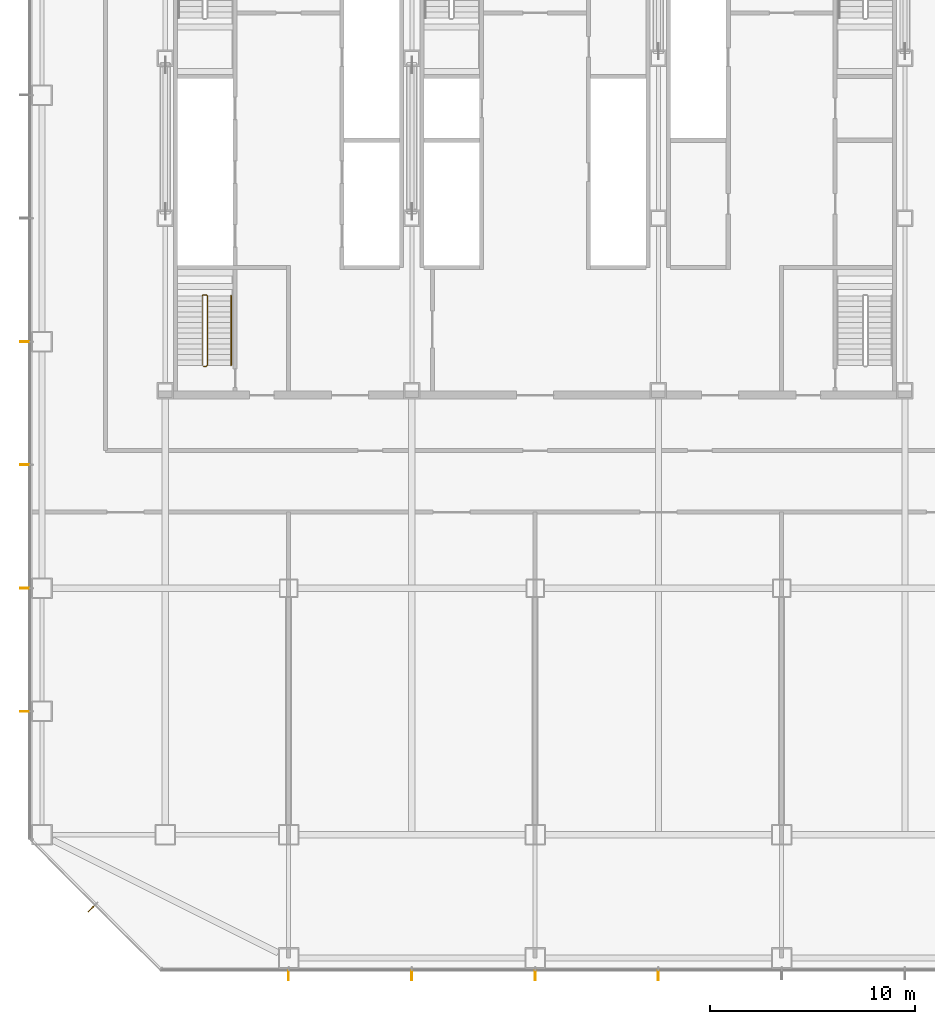
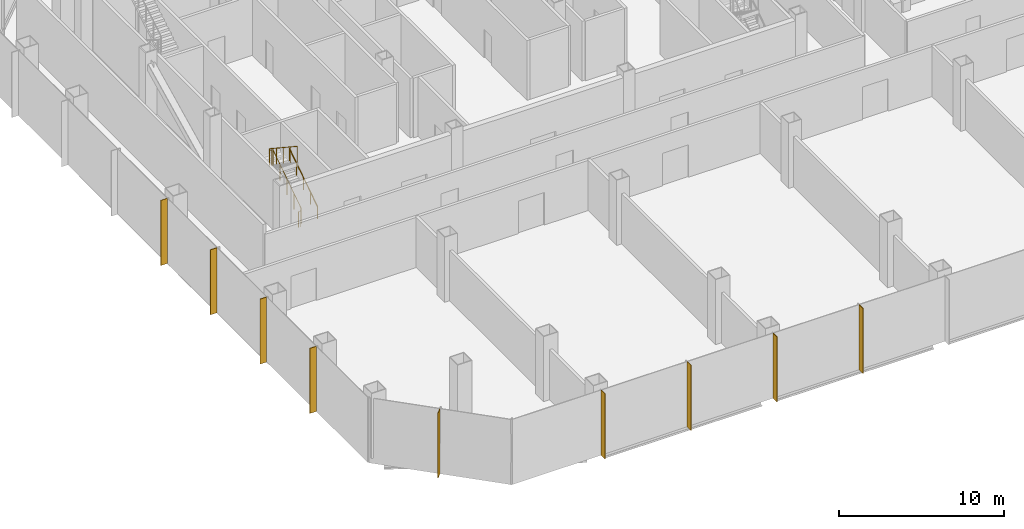
# One storey, part 27 of 33: 9 shading devices, 2 railings.
"""IFC4 building model written with IfcOpenShell, lengths in metres."""

from ifc_helpers import new_model, si_unit, direction, frame, origin, origin_2d, place, context, subcontext, project, spatial, rectangle, circle, extrude, material, material_profile, profile_set, type_object, element, save


model = new_model("IFC4")

# Units and contexts
model_context = context("Model", 3, precision=1e-05, world=origin(), true_north=direction((0.0, 1.0)))
body_context = subcontext(model_context, "Body", "Model", "MODEL_VIEW")
ifc_project = project(units=[si_unit("LENGTHUNIT", "METRE"), si_unit("AREAUNIT", "SQUARE_METRE"), si_unit("VOLUMEUNIT", "CUBIC_METRE"), si_unit("PLANEANGLEUNIT", "RADIAN"), si_unit("MASSUNIT", "GRAM", prefix="KILO")], contexts=[model_context])

# Site, building, storey
site_placement = place(None, origin())
site = spatial("IfcSite", under=ifc_project, at=site_placement, CompositionType="ELEMENT")
building_placement = place(site_placement, origin())
building = spatial("IfcBuilding", under=site, at=building_placement, Name="Sorahane Residences", CompositionType="ELEMENT")
storey_placement = place(building_placement, frame((0.0, 0.0, 30.0)))
storey = spatial("IfcBuildingStorey", under=building, at=storey_placement, Name="L04", CompositionType="ELEMENT", Elevation=30.0)

# Shading devices
ifc_material_1 = material(Name="Terracotta anodised aluminium", Category="masonry")
ifc_material_profile = material_profile(ifc_material_1, rectangle(XDim=0.449951171875, YDim=0.0400390625, at=origin_2d()), Name="Podium vertical fin terracotta anodised aluminium 450x40")
ifc_profile_set = profile_set([ifc_material_profile], Name="Terracotta anodised aluminium")
shading_device_type = type_object("IfcShadingDeviceType", Name="Podium vertical fin terracotta anodised aluminium 450x40", PredefinedType="USERDEFINED", material=ifc_profile_set)
for number, where, z_axis, x_axis, name in (
    (1, (12.0, -6.844970703125, -0.39990234375), (0.0, 0.0, 1.0), (0.0, -1.0, 0.0), "Podium vertical fin L04 S1.1"),
    (2, (18.0, -6.844970703125, -0.39990234375), (0.0, 0.0, 1.0), (0.0, -1.0, 0.0), "Podium vertical fin L04 S1.2"),
    (3, (24.0, -6.844970703125, -0.39990234375), (0.0, 0.0, 1.0), (0.0, -1.0, 0.0), "Podium vertical fin L04 S1.3"),
    (4, (30.0, -6.844970703125, -0.39990234375), (0.0, 0.0, 1.0), (0.0, -1.0, 0.0), "Podium vertical fin L04 S1.4"),
    (5, (-0.844970703125, 24.0, -0.39990234375), (0.0, 0.0, 1.0), (-1.0, 0.0, 0.0), "Podium vertical fin L04 W1.4"),
    (6, (-0.844970703125, 18.0, -0.39990234375), (0.0, 0.0, 1.0), (-1.0, 0.0, 0.0), "Podium vertical fin L04 W1.5"),
    (7, (-0.844970703125, 12.0, -0.39990234375), (0.0, 0.0, 1.0), (-1.0, 0.0, 0.0), "Podium vertical fin L04 W1.6"),
    (8, (-0.844970703125, 6.0, -0.39990234375), (0.0, 0.0, 1.0), (-1.0, 0.0, 0.0), "Podium vertical fin L04 W1.7"),
    (9, (2.402587890625, -3.597412109375, -0.39990234375), (0.0, 0.0, 1.0), (-0.707106781187, -0.707106781187, 0.0), "Podium vertical fin L04 SW1.1"),
):
    element("IfcShadingDevice", number, at=place(storey_placement, frame(where, z_axis=z_axis, x_axis=x_axis)), inside=storey, type_object=shading_device_type, Name=name, ObjectType="Vertical fin", PredefinedType="USERDEFINED", context=body_context, shape_type="SweptSolid", body=[
        extrude(rectangle(XDim=0.449951171875, YDim=0.0400390625, at=origin_2d()), origin(), (0.0, 0.0, 1.0), 4.7998046875),
    ])

# Railings
ifc_material_2 = material(Name="Steel Q355B", Category="steel")
railing_type_1 = type_object("IfcRailingType", Name="Stair guard 1200 Steel Q355B", PredefinedType="GUARDRAIL", material=ifc_material_2)
railing_1_placement = place(storey_placement, frame((7.85009765625, 22.800048828125, 0.0)))
element("IfcRailing", 10, at=railing_1_placement, inside=storey, type_object=railing_type_1, Name="L04 S4 stair guard 1", PredefinedType="GUARDRAIL", context=body_context, shape_type="SweptSolid", body=[
    extrude(circle(Radius=0.02392578125, at=origin_2d()), frame((0.0, 0.0, 1.17578125), z_axis=(1.0, 0.0, 0.0), x_axis=(0.0, 1.0, 0.0)), (0.0, 0.0, 1.0), 0.14990234375),
    extrude(circle(Radius=0.02392578125, at=origin_2d()), frame((0.14990234375, 0.0, 1.17578125), z_axis=(0.269911200495, 0.269911200495, 0.924281281696), x_axis=(-0.707106781187, 0.707106781187, 0.0)), (0.0, 0.0, 1.0), 0.185546875),
    extrude(circle(Radius=0.02392578125, at=origin_2d()), frame((0.199951171875, 0.050048828125, 1.34716796875), z_axis=(0.0, 0.83485994896, 0.550462410727), x_axis=(-1.0, 0.0, 0.0)), (0.0, 0.0, 1.0), 4.04833984375),
    extrude(circle(Radius=0.02392578125, at=origin_2d()), frame((0.199951171875, 3.429931640625, 3.57568359375), z_axis=(-0.707106781187, 0.707106781187, 0.0), x_axis=(-0.707106781187, -0.707106781187, 0.0)), (0.0, 0.0, 1.0), 0.07080078125),
    extrude(circle(Radius=0.02392578125, at=origin_2d()), frame((0.14990234375, 3.47998046875, 3.57568359375), z_axis=(-1.0, 0.0, 0.0), x_axis=(0.0, -1.0, 0.0)), (0.0, 0.0, 1.0), 0.14990234375),
    extrude(circle(Radius=0.02392578125, at=origin_2d()), frame((0.0, 3.47998046875, 3.57568359375), z_axis=(-0.269583098496, -0.269583098496, 0.924472771914), x_axis=(0.707106781187, -0.707106781187, 0.0)), (0.0, 0.0, 1.0), 0.185546875),
    extrude(circle(Radius=0.02392578125, at=origin_2d()), frame((-0.050048828125, 3.429931640625, 3.74755859375), z_axis=(0.0, -0.83485994896, 0.550462410727), x_axis=(1.0, 0.0, 0.0)), (0.0, 0.0, 1.0), 4.04833984375),
    extrude(circle(Radius=0.02099609375, at=origin_2d()), origin(), (0.0, 0.0, 1.0), 1.15185546875),
    extrude(circle(Radius=0.02099609375, at=origin_2d()), frame((0.14990234375, 0.0, 0.0)), (0.0, 0.0, 1.0), 1.15185546875),
    extrude(circle(Radius=0.02099609375, at=origin_2d()), frame((0.199951171875, 0.050048828125, 0.17138671875)), (0.0, 0.0, 1.0), 1.15185546875),
    extrude(circle(Radius=0.02099609375, at=origin_2d()), frame((0.199951171875, 0.89501953125, 0.728515625)), (0.0, 0.0, 1.0), 1.15185546875),
    extrude(circle(Radius=0.02099609375, at=origin_2d()), frame((0.199951171875, 1.739990234375, 1.28564453125)), (0.0, 0.0, 1.0), 1.15185546875),
    extrude(circle(Radius=0.02099609375, at=origin_2d()), frame((0.199951171875, 2.5849609375, 1.8427734375)), (0.0, 0.0, 1.0), 1.15185546875),
    extrude(circle(Radius=0.02099609375, at=origin_2d()), frame((0.199951171875, 3.429931640625, 2.39990234375)), (0.0, 0.0, 1.0), 1.15185546875),
    extrude(circle(Radius=0.02099609375, at=origin_2d()), frame((0.14990234375, 3.47998046875, 2.39990234375)), (0.0, 0.0, 1.0), 1.15185546875),
    extrude(circle(Radius=0.02099609375, at=origin_2d()), frame((0.0, 3.47998046875, 2.39990234375)), (0.0, 0.0, 1.0), 1.15185546875),
    extrude(circle(Radius=0.02099609375, at=origin_2d()), frame((-0.050048828125, 3.429931640625, 2.571533203125)), (0.0, 0.0, 1.0), 1.15185546875),
    extrude(circle(Radius=0.02099609375, at=origin_2d()), frame((-0.050048828125, 2.5849609375, 3.128662109375)), (0.0, 0.0, 1.0), 1.15185546875),
    extrude(circle(Radius=0.02099609375, at=origin_2d()), frame((-0.050048828125, 1.739990234375, 3.685791015625)), (0.0, 0.0, 1.0), 1.15185546875),
    extrude(circle(Radius=0.02099609375, at=origin_2d()), frame((-0.050048828125, 0.89501953125, 4.242919921875)), (0.0, 0.0, 1.0), 1.15185546875),
    extrude(circle(Radius=0.02099609375, at=origin_2d()), frame((-0.050048828125, 0.050048828125, 4.800048828125)), (0.0, 0.0, 1.0), 1.15185546875),
])
ifc_material_3 = material(Name="Steel Q355B", Category="steel")
railing_type_2 = type_object("IfcRailingType", Name="Stair handrail 900 Steel Q355B", PredefinedType="HANDRAIL", material=ifc_material_3)
railing_2_placement = place(storey_placement, frame((9.199951171875, 22.85009765625, 0.17138671875)))
element("IfcRailing", 11, at=railing_2_placement, inside=storey, type_object=railing_type_2, Name="L04 S4 stair handrail 1", PredefinedType="HANDRAIL", context=body_context, shape_type="SweptSolid", body=[
    extrude(circle(Radius=0.02392578125, at=origin_2d()), frame((0.0, 0.0, 0.8759765625), z_axis=(0.0, 0.83485994896, 0.550462410727), x_axis=(-1.0, 0.0, 0.0)), (0.0, 0.0, 1.0), 4.04833984375),
    extrude(circle(Radius=0.02099609375, at=origin_2d()), origin(), (0.0, 0.0, 1.0), 0.851806640625),
    extrude(circle(Radius=0.02099609375, at=origin_2d()), frame((0.0, 0.844970703125, 0.55712890625)), (0.0, 0.0, 1.0), 0.851806640625),
    extrude(circle(Radius=0.02099609375, at=origin_2d()), frame((0.0, 1.68994140625, 1.1142578125)), (0.0, 0.0, 1.0), 0.851806640625),
    extrude(circle(Radius=0.02099609375, at=origin_2d()), frame((0.0, 2.534912109375, 1.67138671875)), (0.0, 0.0, 1.0), 0.851806640625),
    extrude(circle(Radius=0.02099609375, at=origin_2d()), frame((0.0, 3.3798828125, 2.228515625)), (0.0, 0.0, 1.0), 0.851806640625),
])

save(model, "model.ifc")
